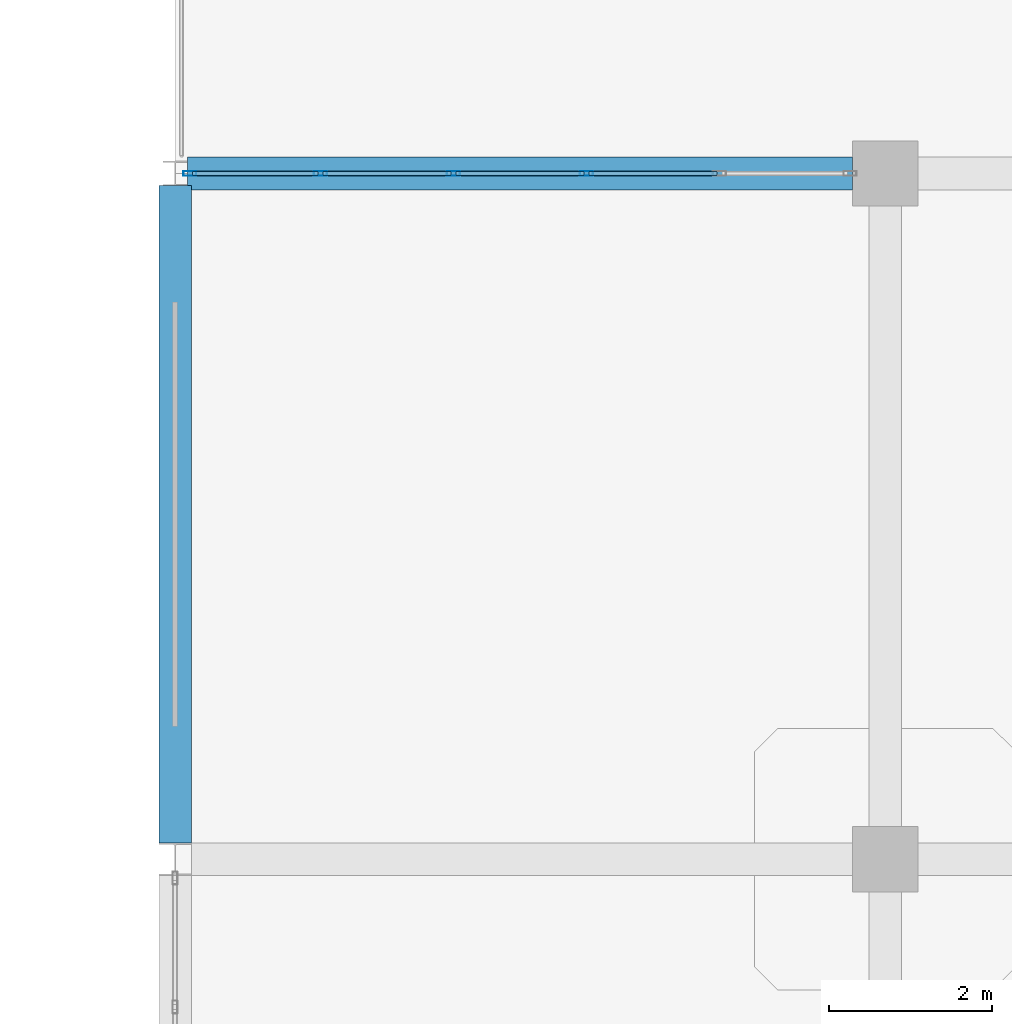
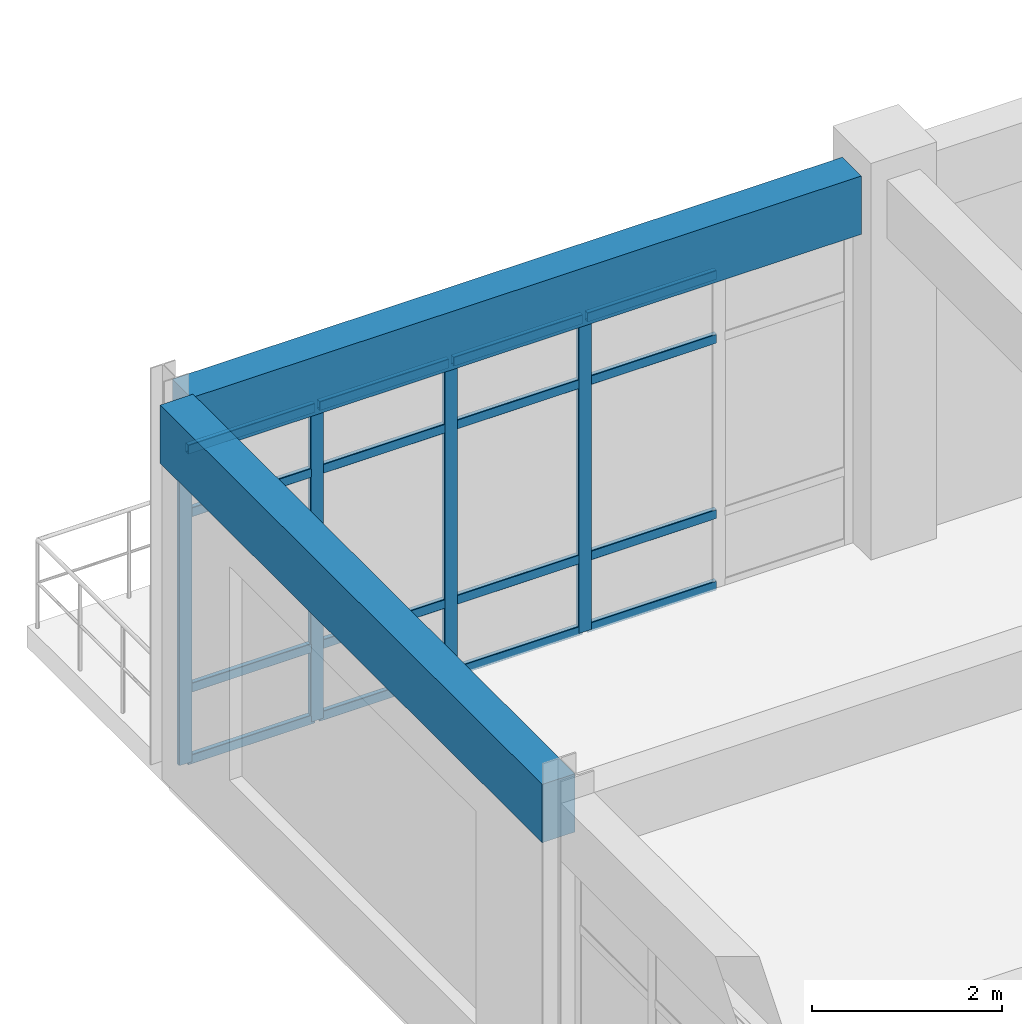
# One storey, part 34 of 96: 20 members, 2 beams, 1 element without a shape of its own.
"""IFC4 building model written with IfcOpenShell, lengths in metres."""

from ifc_helpers import new_model, si_unit, derived_unit, direction, frame, origin, origin_2d, place, context, subcontext, project, spatial, rectangle, hollow_rectangle, extrude, material, layer, layer_set, material_profile, profile_set, type_object, element, aggregate, save


model = new_model("IFC4")

# Units and contexts
model_context = context("Model", 3, precision=1e-05, world=origin(), true_north=direction((0.0, 1.0)))
body_context = subcontext(model_context, "Body", "Model", "MODEL_VIEW")
ifc_project = project(units=[si_unit("LENGTHUNIT", "METRE"), si_unit("AREAUNIT", "SQUARE_METRE"), si_unit("VOLUMEUNIT", "CUBIC_METRE"), si_unit("PLANEANGLEUNIT", "RADIAN"), si_unit("MASSUNIT", "GRAM", prefix="KILO"), derived_unit("THERMALTRANSMITTANCEUNIT", [(si_unit("MASSUNIT", "GRAM", prefix="KILO"), 1), (si_unit("TIMEUNIT", "SECOND"), -3), (si_unit("THERMODYNAMICTEMPERATUREUNIT", "KELVIN"), -1)])], contexts=[model_context])

# Site, building, storey
site_placement = place(None, origin())
site = spatial("IfcSite", under=ifc_project, at=site_placement, CompositionType="ELEMENT")
building_placement = place(site_placement, origin())
building = spatial("IfcBuilding", under=site, at=building_placement, Name="Qinzheling Arcade Emporium", CompositionType="ELEMENT")
storey_placement = place(building_placement, frame((0.0, 0.0, 21.60009765625)))
storey = spatial("IfcBuildingStorey", under=building, at=storey_placement, Name="L05", CompositionType="ELEMENT", Elevation=21.60009765625)

# Curtain wall, members
ifc_material_1 = material(Name="Anodised aluminium and solar-control double glazing", Category="aluminium")
ifc_layer = layer(ifc_material_1, 0.159912109375, Name="Anodised aluminium and solar-control double glazing", Category="aluminium")
ifc_layer_set = layer_set([ifc_layer], Name="Anodised aluminium and solar-control double glazing")
curtain_wall_type = type_object("IfcCurtainWallType", Name="Food Hall Loggia Curtain Wall", PredefinedType="NOTDEFINED", material=ifc_layer_set)
curtain_wall_placement = place(storey_placement, origin())
curtain_wall = element("IfcCurtainWall", 1, at=curtain_wall_placement, inside=storey, type_object=curtain_wall_type, Name="Curtain Wall CW-L05-296", PredefinedType="NOTDEFINED")
ifc_material_2 = material(Name="Anodised aluminium 6063-T6", Category="aluminium")
ifc_material_profile_1 = material_profile(ifc_material_2, hollow_rectangle(XDim=0.06005859375, YDim=0.159912109375, WallThickness=0.00390625, InnerFilletRadius=0.00390625, OuterFilletRadius=0.008056640625, at=origin_2d()), Name="RHS 160x60x4", Category="aluminium")
ifc_profile_set_1 = profile_set([ifc_material_profile_1], Name="Anodised aluminium 6063-T6")
member_type_1 = type_object("IfcMemberType", Name="Curtain Wall Mullion RHS160x60", PredefinedType="MULLION", material=ifc_profile_set_1)
member_1_placement = place(storey_placement, frame((121.98193359375, 25.199951171875, 0.0), z_axis=(0.0, 0.0, 1.0), x_axis=(0.0, 1.0, 0.0)))
member_1 = element("IfcMember", 2, at=member_1_placement, type_object=member_type_1, Name="CW04 mullion 1", PredefinedType="MULLION", context=body_context, shape_type="SweptSolid", body=[
    extrude(hollow_rectangle(XDim=0.06005859375, YDim=0.159912109375, WallThickness=0.00390625, InnerFilletRadius=0.00390625, OuterFilletRadius=0.008056640625, at=origin_2d()), origin(), (0.0, 0.0, 1.0), 4.054931640625),
])
member_2_placement = place(storey_placement, frame((123.581298828125, 25.199951171875, 0.0), z_axis=(0.0, 0.0, 1.0), x_axis=(0.0, 1.0, 0.0)))
member_2 = element("IfcMember", 3, at=member_2_placement, type_object=member_type_1, Name="CW04 mullion 2", PredefinedType="MULLION", context=body_context, shape_type="SweptSolid", body=[
    extrude(hollow_rectangle(XDim=0.06005859375, YDim=0.159912109375, WallThickness=0.00390625, InnerFilletRadius=0.00390625, OuterFilletRadius=0.008056640625, at=origin_2d()), origin(), (0.0, 0.0, 1.0), 4.054931640625),
])
member_3_placement = place(storey_placement, frame((125.21044921875, 25.199951171875, 0.0), z_axis=(0.0, 0.0, 1.0), x_axis=(0.0, 1.0, 0.0)))
member_3 = element("IfcMember", 4, at=member_3_placement, type_object=member_type_1, Name="CW04 mullion 3", PredefinedType="MULLION", context=body_context, shape_type="SweptSolid", body=[
    extrude(hollow_rectangle(XDim=0.06005859375, YDim=0.159912109375, WallThickness=0.00390625, InnerFilletRadius=0.00390625, OuterFilletRadius=0.008056640625, at=origin_2d()), origin(), (0.0, 0.0, 1.0), 4.054931640625),
])
member_4_placement = place(storey_placement, frame((126.839599609375, 25.199951171875, 0.0), z_axis=(0.0, 0.0, 1.0), x_axis=(0.0, 1.0, 0.0)))
member_4 = element("IfcMember", 5, at=member_4_placement, type_object=member_type_1, Name="CW04 mullion 4", PredefinedType="MULLION", context=body_context, shape_type="SweptSolid", body=[
    extrude(hollow_rectangle(XDim=0.06005859375, YDim=0.159912109375, WallThickness=0.00390625, InnerFilletRadius=0.00390625, OuterFilletRadius=0.008056640625, at=origin_2d()), origin(), (0.0, 0.0, 1.0), 4.054931640625),
])
ifc_material_profile_2 = material_profile(ifc_material_2, hollow_rectangle(XDim=0.06005859375, YDim=0.1201171875, WallThickness=0.00390625, InnerFilletRadius=0.00390625, OuterFilletRadius=0.008056640625, at=origin_2d()), Name="RHS 120x60x4", Category="aluminium")
ifc_profile_set_2 = profile_set([ifc_material_profile_2], Name="Anodised aluminium 6063-T6")
member_type_2 = type_object("IfcMemberType", Name="Curtain Wall Transom RHS120x60", PredefinedType="USERDEFINED", material=ifc_profile_set_2)
member_5_placement = place(storey_placement, frame((122.011962890625, 25.199951171875, 0.02978515625), z_axis=(1.0, 0.0, 0.0), x_axis=(0.0, 1.0, 0.0)))
member_5 = element("IfcMember", 6, at=member_5_placement, type_object=member_type_2, Name="CW04 transom 1.1", ObjectType="TRANSOM", PredefinedType="USERDEFINED", context=body_context, shape_type="SweptSolid", body=[
    extrude(hollow_rectangle(XDim=0.06005859375, YDim=0.1201171875, WallThickness=0.00390625, InnerFilletRadius=0.00390625, OuterFilletRadius=0.008056640625, at=origin_2d()), origin(), (0.0, 0.0, 1.0), 1.539306640625),
])
member_6_placement = place(storey_placement, frame((122.011962890625, 25.199951171875, 0.949951171875), z_axis=(1.0, 0.0, 0.0), x_axis=(0.0, 1.0, 0.0)))
member_6 = element("IfcMember", 7, at=member_6_placement, type_object=member_type_2, Name="CW04 transom 1.2", ObjectType="TRANSOM", PredefinedType="USERDEFINED", context=body_context, shape_type="SweptSolid", body=[
    extrude(hollow_rectangle(XDim=0.06005859375, YDim=0.1201171875, WallThickness=0.00390625, InnerFilletRadius=0.00390625, OuterFilletRadius=0.008056640625, at=origin_2d()), origin(), (0.0, 0.0, 1.0), 1.539306640625),
])
member_7_placement = place(storey_placement, frame((122.011962890625, 25.199951171875, 3.204833984375), z_axis=(1.0, 0.0, 0.0), x_axis=(0.0, 1.0, 0.0)))
member_7 = element("IfcMember", 8, at=member_7_placement, type_object=member_type_2, Name="CW04 transom 1.3", ObjectType="TRANSOM", PredefinedType="USERDEFINED", context=body_context, shape_type="SweptSolid", body=[
    extrude(hollow_rectangle(XDim=0.06005859375, YDim=0.1201171875, WallThickness=0.00390625, InnerFilletRadius=0.00390625, OuterFilletRadius=0.008056640625, at=origin_2d()), origin(), (0.0, 0.0, 1.0), 1.539306640625),
])
member_8_placement = place(storey_placement, frame((122.011962890625, 25.199951171875, 4.02490234375), z_axis=(1.0, 0.0, 0.0), x_axis=(0.0, 1.0, 0.0)))
member_8 = element("IfcMember", 9, at=member_8_placement, type_object=member_type_2, Name="CW04 transom 1.4", ObjectType="TRANSOM", PredefinedType="USERDEFINED", context=body_context, shape_type="SweptSolid", body=[
    extrude(hollow_rectangle(XDim=0.06005859375, YDim=0.1201171875, WallThickness=0.00390625, InnerFilletRadius=0.00390625, OuterFilletRadius=0.008056640625, at=origin_2d()), origin(), (0.0, 0.0, 1.0), 1.539306640625),
])
member_9_placement = place(storey_placement, frame((123.611083984375, 25.199951171875, 0.02978515625), z_axis=(1.0, 0.0, 0.0), x_axis=(0.0, 1.0, 0.0)))
member_9 = element("IfcMember", 10, at=member_9_placement, type_object=member_type_2, Name="CW04 transom 2.1", ObjectType="TRANSOM", PredefinedType="USERDEFINED", context=body_context, shape_type="SweptSolid", body=[
    extrude(hollow_rectangle(XDim=0.06005859375, YDim=0.1201171875, WallThickness=0.00390625, InnerFilletRadius=0.00390625, OuterFilletRadius=0.008056640625, at=origin_2d()), origin(), (0.0, 0.0, 1.0), 1.5693359375),
])
member_10_placement = place(storey_placement, frame((123.611083984375, 25.199951171875, 0.949951171875), z_axis=(1.0, 0.0, 0.0), x_axis=(0.0, 1.0, 0.0)))
member_10 = element("IfcMember", 11, at=member_10_placement, type_object=member_type_2, Name="CW04 transom 2.2", ObjectType="TRANSOM", PredefinedType="USERDEFINED", context=body_context, shape_type="SweptSolid", body=[
    extrude(hollow_rectangle(XDim=0.06005859375, YDim=0.1201171875, WallThickness=0.00390625, InnerFilletRadius=0.00390625, OuterFilletRadius=0.008056640625, at=origin_2d()), origin(), (0.0, 0.0, 1.0), 1.5693359375),
])
member_11_placement = place(storey_placement, frame((123.611083984375, 25.199951171875, 3.204833984375), z_axis=(1.0, 0.0, 0.0), x_axis=(0.0, 1.0, 0.0)))
member_11 = element("IfcMember", 12, at=member_11_placement, type_object=member_type_2, Name="CW04 transom 2.3", ObjectType="TRANSOM", PredefinedType="USERDEFINED", context=body_context, shape_type="SweptSolid", body=[
    extrude(hollow_rectangle(XDim=0.06005859375, YDim=0.1201171875, WallThickness=0.00390625, InnerFilletRadius=0.00390625, OuterFilletRadius=0.008056640625, at=origin_2d()), origin(), (0.0, 0.0, 1.0), 1.5693359375),
])
member_12_placement = place(storey_placement, frame((123.611083984375, 25.199951171875, 4.02490234375), z_axis=(1.0, 0.0, 0.0), x_axis=(0.0, 1.0, 0.0)))
member_12 = element("IfcMember", 13, at=member_12_placement, type_object=member_type_2, Name="CW04 transom 2.4", ObjectType="TRANSOM", PredefinedType="USERDEFINED", context=body_context, shape_type="SweptSolid", body=[
    extrude(hollow_rectangle(XDim=0.06005859375, YDim=0.1201171875, WallThickness=0.00390625, InnerFilletRadius=0.00390625, OuterFilletRadius=0.008056640625, at=origin_2d()), origin(), (0.0, 0.0, 1.0), 1.5693359375),
])
member_13_placement = place(storey_placement, frame((125.240478515625, 25.199951171875, 0.02978515625), z_axis=(1.0, 0.0, 0.0), x_axis=(0.0, 1.0, 0.0)))
member_13 = element("IfcMember", 14, at=member_13_placement, type_object=member_type_2, Name="CW04 transom 3.1", ObjectType="TRANSOM", PredefinedType="USERDEFINED", context=body_context, shape_type="SweptSolid", body=[
    extrude(hollow_rectangle(XDim=0.06005859375, YDim=0.1201171875, WallThickness=0.00390625, InnerFilletRadius=0.00390625, OuterFilletRadius=0.008056640625, at=origin_2d()), origin(), (0.0, 0.0, 1.0), 1.569091796875),
])
member_14_placement = place(storey_placement, frame((125.240478515625, 25.199951171875, 0.949951171875), z_axis=(1.0, 0.0, 0.0), x_axis=(0.0, 1.0, 0.0)))
member_14 = element("IfcMember", 15, at=member_14_placement, type_object=member_type_2, Name="CW04 transom 3.2", ObjectType="TRANSOM", PredefinedType="USERDEFINED", context=body_context, shape_type="SweptSolid", body=[
    extrude(hollow_rectangle(XDim=0.06005859375, YDim=0.1201171875, WallThickness=0.00390625, InnerFilletRadius=0.00390625, OuterFilletRadius=0.008056640625, at=origin_2d()), origin(), (0.0, 0.0, 1.0), 1.569091796875),
])
member_15_placement = place(storey_placement, frame((125.240478515625, 25.199951171875, 3.204833984375), z_axis=(1.0, 0.0, 0.0), x_axis=(0.0, 1.0, 0.0)))
member_15 = element("IfcMember", 16, at=member_15_placement, type_object=member_type_2, Name="CW04 transom 3.3", ObjectType="TRANSOM", PredefinedType="USERDEFINED", context=body_context, shape_type="SweptSolid", body=[
    extrude(hollow_rectangle(XDim=0.06005859375, YDim=0.1201171875, WallThickness=0.00390625, InnerFilletRadius=0.00390625, OuterFilletRadius=0.008056640625, at=origin_2d()), origin(), (0.0, 0.0, 1.0), 1.569091796875),
])
member_16_placement = place(storey_placement, frame((125.240478515625, 25.199951171875, 4.02490234375), z_axis=(1.0, 0.0, 0.0), x_axis=(0.0, 1.0, 0.0)))
member_16 = element("IfcMember", 17, at=member_16_placement, type_object=member_type_2, Name="CW04 transom 3.4", ObjectType="TRANSOM", PredefinedType="USERDEFINED", context=body_context, shape_type="SweptSolid", body=[
    extrude(hollow_rectangle(XDim=0.06005859375, YDim=0.1201171875, WallThickness=0.00390625, InnerFilletRadius=0.00390625, OuterFilletRadius=0.008056640625, at=origin_2d()), origin(), (0.0, 0.0, 1.0), 1.569091796875),
])
member_17_placement = place(storey_placement, frame((126.86962890625, 25.199951171875, 0.02978515625), z_axis=(1.0, 0.0, 0.0), x_axis=(0.0, 1.0, 0.0)))
member_17 = element("IfcMember", 18, at=member_17_placement, type_object=member_type_2, Name="CW04 transom 4.1", ObjectType="TRANSOM", PredefinedType="USERDEFINED", context=body_context, shape_type="SweptSolid", body=[
    extrude(hollow_rectangle(XDim=0.06005859375, YDim=0.1201171875, WallThickness=0.00390625, InnerFilletRadius=0.00390625, OuterFilletRadius=0.008056640625, at=origin_2d()), origin(), (0.0, 0.0, 1.0), 1.569091796875),
])
member_18_placement = place(storey_placement, frame((126.86962890625, 25.199951171875, 0.949951171875), z_axis=(1.0, 0.0, 0.0), x_axis=(0.0, 1.0, 0.0)))
member_18 = element("IfcMember", 19, at=member_18_placement, type_object=member_type_2, Name="CW04 transom 4.2", ObjectType="TRANSOM", PredefinedType="USERDEFINED", context=body_context, shape_type="SweptSolid", body=[
    extrude(hollow_rectangle(XDim=0.06005859375, YDim=0.1201171875, WallThickness=0.00390625, InnerFilletRadius=0.00390625, OuterFilletRadius=0.008056640625, at=origin_2d()), origin(), (0.0, 0.0, 1.0), 1.569091796875),
])
member_19_placement = place(storey_placement, frame((126.86962890625, 25.199951171875, 3.204833984375), z_axis=(1.0, 0.0, 0.0), x_axis=(0.0, 1.0, 0.0)))
member_19 = element("IfcMember", 20, at=member_19_placement, type_object=member_type_2, Name="CW04 transom 4.3", ObjectType="TRANSOM", PredefinedType="USERDEFINED", context=body_context, shape_type="SweptSolid", body=[
    extrude(hollow_rectangle(XDim=0.06005859375, YDim=0.1201171875, WallThickness=0.00390625, InnerFilletRadius=0.00390625, OuterFilletRadius=0.008056640625, at=origin_2d()), origin(), (0.0, 0.0, 1.0), 1.569091796875),
])
member_20_placement = place(storey_placement, frame((126.86962890625, 25.199951171875, 4.02490234375), z_axis=(1.0, 0.0, 0.0), x_axis=(0.0, 1.0, 0.0)))
member_20 = element("IfcMember", 21, at=member_20_placement, type_object=member_type_2, Name="CW04 transom 4.4", ObjectType="TRANSOM", PredefinedType="USERDEFINED", context=body_context, shape_type="SweptSolid", body=[
    extrude(hollow_rectangle(XDim=0.06005859375, YDim=0.1201171875, WallThickness=0.00390625, InnerFilletRadius=0.00390625, OuterFilletRadius=0.008056640625, at=origin_2d()), origin(), (0.0, 0.0, 1.0), 1.569091796875),
])
aggregate(curtain_wall, [member_1, member_2, member_3, member_4, member_5, member_6, member_7, member_8, member_9, member_10, member_11, member_12, member_13, member_14, member_15, member_16, member_17, member_18, member_19, member_20])

# Beams
ifc_material_3 = material(Name="Concrete C40", Category="concrete")
ifc_material_profile_3 = material_profile(ifc_material_3, rectangle(XDim=0.39990234375, YDim=0.75, at=origin_2d()), Name="RC 400x750", Category="concrete")
ifc_profile_set_3 = profile_set([ifc_material_profile_3], Name="Concrete C40")
beam_type = type_object("IfcBeamType", Name="RC Interior Tie Beam 400x750 C40", PredefinedType="BEAM", material=ifc_profile_set_3)
beam_1_placement = place(storey_placement, frame((121.949951171875, 25.199951171875, 4.44482421875), z_axis=(1.0, 0.0, 0.0), x_axis=(0.0, 1.0, 0.0)))
element("IfcBeam", 22, at=beam_1_placement, inside=storey, type_object=beam_type, Name="Beam BM-L05-X-D-15", PredefinedType="BEAM", context=body_context, shape_type="SweptSolid", body=[
    extrude(rectangle(XDim=0.39990234375, YDim=0.75, at=origin_2d()), origin(), (0.0, 0.0, 1.0), 8.150146484375),
])
beam_2_placement = place(storey_placement, frame((121.800048828125, 17.0, 4.44482421875), z_axis=(0.0, 1.0, 0.0), x_axis=(-1.0, 0.0, 0.0)))
element("IfcBeam", 23, at=beam_2_placement, inside=storey, type_object=beam_type, Name="Beam BM-L05-Y-15-C", PredefinedType="BEAM", context=body_context, shape_type="SweptSolid", body=[
    extrude(rectangle(XDim=0.39990234375, YDim=0.75, at=origin_2d()), origin(), (0.0, 0.0, 1.0), 8.050048828125),
])

save(model, "model.ifc")
